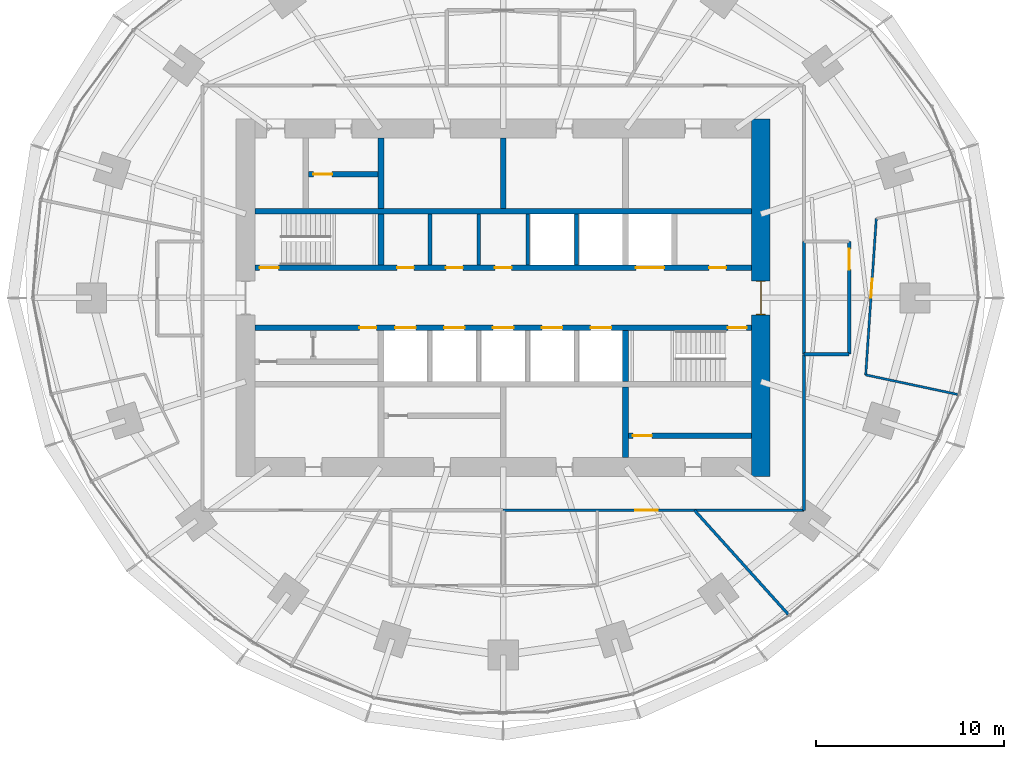
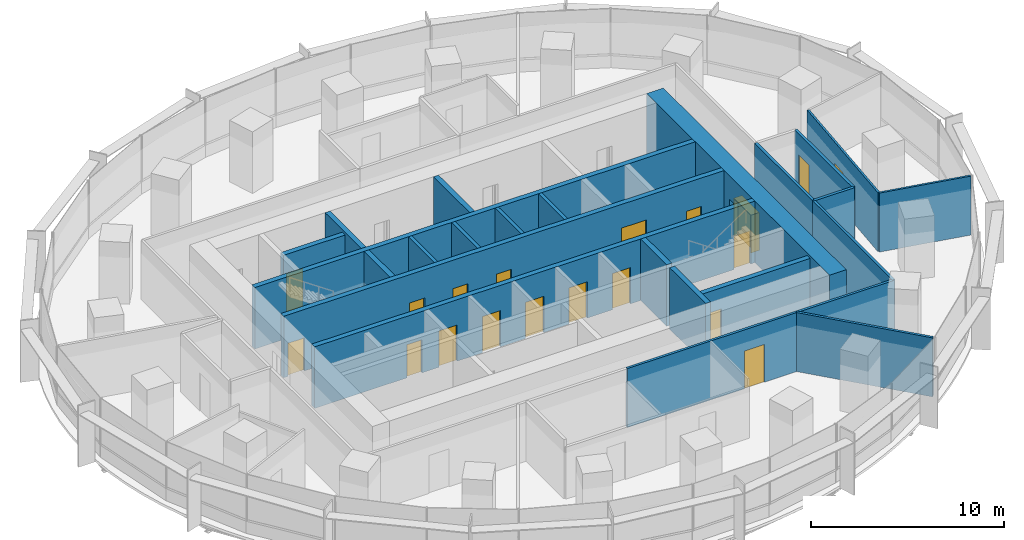
# One storey, part 11 of 14: 23 walls, 19 doors, 19 openings.
"""IFC4 building model written with IfcOpenShell, lengths in metres."""

from ifc_helpers import new_model, si_unit, direction, frame, frame_2d, origin, place, context, subcontext, project, spatial, rectangle, extrude, material, layer, layer_set, type_object, element, fill, save


model = new_model("IFC4")

# Units and contexts
model_context = context("Model", 3, precision=1e-05, world=origin(), true_north=direction((0.0, 1.0)))
body_context = subcontext(model_context, "Body", "Model", "MODEL_VIEW")
ifc_project = project(units=[si_unit("LENGTHUNIT", "METRE"), si_unit("AREAUNIT", "SQUARE_METRE"), si_unit("VOLUMEUNIT", "CUBIC_METRE"), si_unit("PLANEANGLEUNIT", "RADIAN"), si_unit("MASSUNIT", "GRAM", prefix="KILO")], contexts=[model_context])

# Site, building, storey
site_placement = place(None, origin())
site = spatial("IfcSite", under=ifc_project, at=site_placement, CompositionType="ELEMENT")
building_placement = place(site_placement, origin())
building = spatial("IfcBuilding", under=site, at=building_placement, Name="Marramba Exchange Tower", CompositionType="ELEMENT")
storey_placement = place(building_placement, frame((0.0, 0.0, 115.800048828125)))
storey = spatial("IfcBuildingStorey", under=building, at=storey_placement, Name="L27", CompositionType="ELEMENT", Elevation=115.800048828125)

# Walls
ifc_material_1 = material(Name="Plasterboard on staggered double steel studs, acoustic insulation", Category="steel")
ifc_layer_1 = layer(ifc_material_1, 0.169921875)
ifc_layer_set_1 = layer_set([ifc_layer_1], Name="Acoustic partition 170")
wall_type_1 = type_object("IfcWallType", Name="Acoustic partition 170", PredefinedType="PARTITIONING", material=ifc_layer_set_1)
wall_1_placement = place(storey_placement, frame((16.0, -3.0, 0.0), z_axis=(0.0, 0.0, 1.0), x_axis=(1.0, 0.0, 0.0)))
element("IfcWall", 1, at=wall_1_placement, inside=storey, type_object=wall_type_1, Name="Acoustic partition L27 18", PredefinedType="PARTITIONING", context=body_context, shape_type="SweptSolid", body=[
    extrude(rectangle(XDim=2.39990234375, YDim=0.169921875, at=frame_2d((1.199951171875, 0.0))), origin(), (0.0, 0.0, 1.0), 3.739990234375),
])
wall_2_placement = place(storey_placement, frame((16.0, 3.0, 0.0), z_axis=(0.0, 0.0, 1.0), x_axis=(0.0, -1.0, 0.0)))
element("IfcWall", 2, at=wall_2_placement, inside=storey, type_object=wall_type_1, Name="Acoustic partition L27 19", PredefinedType="PARTITIONING", context=body_context, shape_type="SweptSolid", body=[
    extrude(rectangle(XDim=6.0, YDim=0.169921875, at=frame_2d((3.0, 0.0))), origin(), (0.0, 0.0, 1.0), 3.739990234375),
])

# Wall, opening, door
wall_3_placement = place(storey_placement, frame((18.39990234375, -3.0, 0.0), z_axis=(0.0, 0.0, 1.0), x_axis=(0.0, 1.0, 0.0)))
wall_3 = element("IfcWall", 3, at=wall_3_placement, inside=storey, type_object=wall_type_1, Name="Acoustic partition L27 20", PredefinedType="PARTITIONING", context=body_context, shape_type="SweptSolid", body=[
    extrude(rectangle(XDim=6.0, YDim=0.169921875, at=frame_2d((3.0, 0.0))), origin(), (0.0, 0.0, 1.0), 3.739990234375),
])
opening_1_placement = place(wall_3_placement, frame((4.5, 0.0, 0.0)))
opening_1 = element("IfcOpeningElement", 4, at=opening_1_placement, cuts=wall_3, Name="Opening D15", PredefinedType="OPENING", context=body_context, shape_type="SweptSolid", body=[
    extrude(rectangle(XDim=1.10009765625, YDim=2.39990234375, at=frame_2d((0.550048828125, 1.199951171875))), frame((0.0, 0.094970703125, 0.0), z_axis=(0.0, -1.0, 0.0), x_axis=(1.0, 0.0, 0.0)), (0.0, 0.0, 1.0), 0.18994140625),
])
ifc_material_2 = material(Name="Timber door", Category="wood")
door_type_1 = type_object("IfcDoorType", Name="Glazed meeting room door 1100x2400", OperationType="SINGLE_SWING_LEFT", PredefinedType="DOOR", material=ifc_material_2)
door_1_placement = place(opening_1_placement, origin())
door_1 = element("IfcDoor", 5, at=door_1_placement, inside=storey, type_object=door_type_1, Name="D15 Meeting Room 1 L27", OperationType="SINGLE_SWING_RIGHT", OverallHeight=2.39990234375, OverallWidth=1.10009765625, PredefinedType="DOOR", context=body_context, shape_type="SweptSolid", body=[
    extrude(rectangle(XDim=1.10009765625, YDim=2.39990234375, at=frame_2d((0.550048828125, 1.199951171875))), frame((0.0, 0.02490234375, 0.0), z_axis=(0.0, -1.0, 0.0), x_axis=(1.0, 0.0, 0.0)), (0.0, 0.0, 1.0), 0.050048828125),
])
fill(opening_1, door_1)

# Walls
ifc_material_3 = material(Name="Concrete N50", Category="concrete")
ifc_layer_2 = layer(ifc_material_3, 0.199951171875)
ifc_layer_set_2 = layer_set([ifc_layer_2], Name="Core shaft wall 200")
wall_type_2 = type_object("IfcWallType", Name="Core shaft wall 200", PredefinedType="SHEAR", material=ifc_layer_set_2)
for number, where, z_axis, x_axis, name in (
    (6, (-3.89990234375, 1.75, 0.0), (0.0, 0.0, 1.0), (0.0, 1.0, 0.0), "Core wall SHN1 L27"),
    (7, (-1.300048828125, 1.75, 0.0), (0.0, 0.0, 1.0), (0.0, 1.0, 0.0), "Core wall SHN2 L27"),
    (8, (1.300048828125, 1.75, 0.0), (0.0, 0.0, 1.0), (0.0, 1.0, 0.0), "Core wall SHN3 L27"),
    (9, (3.89990234375, 1.75, 0.0), (0.0, 0.0, 1.0), (0.0, 1.0, 0.0), "Core wall SHN4 L27"),
):
    element("IfcWall", number, at=place(storey_placement, frame(where, z_axis=z_axis, x_axis=x_axis)), inside=storey, type_object=wall_type_2, Name=name, PredefinedType="SHEAR", context=body_context, shape_type="SweptSolid", body=[
        extrude(rectangle(XDim=2.699951171875, YDim=0.199951171875, at=frame_2d((1.35009765625, 0.0))), origin(), (0.0, 0.0, 1.0), 3.89990234375),
    ])

# Wall, opening, door
ifc_layer_3 = layer(ifc_material_3, 1.0)
ifc_layer_set_3 = layer_set([ifc_layer_3], Name="Core wall 1000")
wall_type_3 = type_object("IfcWallType", Name="Core wall 1000", PredefinedType="SHEAR", material=ifc_layer_set_3)
wall_4_placement = place(storey_placement, frame((13.699951171875, -9.5, 0.0), z_axis=(0.0, 0.0, 1.0), x_axis=(0.0, 1.0, 0.0)))
wall_4 = element("IfcWall", 10, at=wall_4_placement, inside=storey, type_object=wall_type_3, Name="Core wall E L27", PredefinedType="SHEAR", context=body_context, shape_type="SweptSolid", body=[
    extrude(rectangle(XDim=19.0, YDim=1.0, at=frame_2d((9.5, 0.0))), origin(), (0.0, 0.0, 1.0), 3.89990234375),
])
opening_2_placement = place(wall_4_placement, frame((8.60009765625, 0.0, 0.0)))
opening_2 = element("IfcOpeningElement", 11, at=opening_2_placement, cuts=wall_4, Name="Opening D1", PredefinedType="OPENING", context=body_context, shape_type="SweptSolid", body=[
    extrude(rectangle(XDim=1.800048828125, YDim=2.39990234375, at=frame_2d((0.89990234375, 1.199951171875))), frame((0.0, 0.510009765625, 0.0), z_axis=(0.0, -1.0, 0.0), x_axis=(1.0, 0.0, 0.0)), (0.0, 0.0, 1.0), 1.02001953125),
])
ifc_material_4 = material(Name="Steel-framed door", Category="steel")
door_type_2 = type_object("IfcDoorType", Name="Lobby exit door 1800x2400", OperationType="DOUBLE_DOOR_SINGLE_SWING", PredefinedType="DOOR", material=ifc_material_4)
door_2_placement = place(opening_2_placement, origin())
door_2 = element("IfcDoor", 12, at=door_2_placement, inside=storey, type_object=door_type_2, Name="D1 lobby exit east L27", OperationType="DOUBLE_DOOR_SINGLE_SWING", OverallHeight=2.39990234375, OverallWidth=1.800048828125, PredefinedType="DOOR", context=body_context, shape_type="SweptSolid", body=[
    extrude(rectangle(XDim=1.719970703125, YDim=2.35986328125, at=frame_2d((0.89990234375, 1.179931640625))), frame((0.0, 0.02490234375, 0.0), z_axis=(0.0, -1.0, 0.0), x_axis=(1.0, 0.0, 0.0)), (0.0, 0.0, 1.0), 0.050048828125),
    extrude(rectangle(XDim=0.04, YDim=2.39990234375, at=frame_2d((0.02001953125, 1.199951171875))), frame((0.0, 0.25, 0.0), z_axis=(0.0, -1.0, 0.0), x_axis=(1.0, 0.0, 0.0)), (0.0, 0.0, 1.0), 0.5),
    extrude(rectangle(XDim=0.04, YDim=2.39990234375, at=frame_2d((1.780029296875, 1.199951171875))), frame((0.0, 0.25, 0.0), z_axis=(0.0, -1.0, 0.0), x_axis=(1.0, 0.0, 0.0)), (0.0, 0.0, 1.0), 0.5),
    extrude(rectangle(XDim=1.719970703125, YDim=0.04, at=frame_2d((0.89990234375, 2.3798828125))), frame((0.0, 0.25, 0.0), z_axis=(0.0, -1.0, 0.0), x_axis=(1.0, 0.0, 0.0)), (0.0, 0.0, 1.0), 0.5),
])
fill(opening_2, door_2)

# Wall, openings, doors
ifc_layer_4 = layer(ifc_material_3, 0.300048828125)
ifc_layer_set_4 = layer_set([ifc_layer_4], Name="Core wall 300")
wall_type_4 = type_object("IfcWallType", Name="Core wall 300", PredefinedType="SHEAR", material=ifc_layer_set_4)
wall_5_placement = place(storey_placement, frame((-13.199951171875, 1.60009765625, 0.0), z_axis=(0.0, 0.0, 1.0), x_axis=(1.0, 0.0, 0.0)))
wall_5 = element("IfcWall", 13, at=wall_5_placement, inside=storey, type_object=wall_type_4, Name="Core wall LN L27", PredefinedType="SHEAR", context=body_context, shape_type="SweptSolid", body=[
    extrude(rectangle(XDim=26.39990234375, YDim=0.300048828125, at=frame_2d((13.199951171875, 0.0))), origin(), (0.0, 0.0, 1.0), 3.89990234375),
])
opening_3_placement = place(wall_5_placement, frame((0.25, 0.0, 0.0)))
opening_3 = element("IfcOpeningElement", 14, at=opening_3_placement, cuts=wall_5, Name="Opening D2", PredefinedType="OPENING", context=body_context, shape_type="SweptSolid", body=[
    extrude(rectangle(XDim=1.0, YDim=2.10009765625, at=frame_2d((0.5, 1.050048828125))), frame((0.0, 0.159912109375, 0.0), z_axis=(0.0, -1.0, 0.0), x_axis=(1.0, 0.0, 0.0)), (0.0, 0.0, 1.0), 0.320068359375),
])
opening_4_placement = place(wall_5_placement, frame((20.25, 0.0, 0.0)))
opening_4 = element("IfcOpeningElement", 15, at=opening_4_placement, cuts=wall_5, Name="Opening LD3", PredefinedType="OPENING", context=body_context, shape_type="SweptSolid", body=[
    extrude(rectangle(XDim=1.5, YDim=2.39990234375, at=frame_2d((0.75, 1.199951171875))), frame((0.0, 0.159912109375, 0.0), z_axis=(0.0, -1.0, 0.0), x_axis=(1.0, 0.0, 0.0)), (0.0, 0.0, 1.0), 0.320068359375),
])
opening_5_placement = place(wall_5_placement, frame((7.550048828125, 0.0, 0.0)))
opening_5 = element("IfcOpeningElement", 16, at=opening_5_placement, cuts=wall_5, Name="Opening D5", PredefinedType="OPENING", context=body_context, shape_type="SweptSolid", body=[
    extrude(rectangle(XDim=0.89990234375, YDim=2.10009765625, at=frame_2d((0.449951171875, 1.050048828125))), frame((0.0, 0.159912109375, 0.0), z_axis=(0.0, -1.0, 0.0), x_axis=(1.0, 0.0, 0.0)), (0.0, 0.0, 1.0), 0.320068359375),
])
opening_6_placement = place(wall_5_placement, frame((10.14990234375, 0.0, 0.0)))
opening_6 = element("IfcOpeningElement", 17, at=opening_6_placement, cuts=wall_5, Name="Opening D5", PredefinedType="OPENING", context=body_context, shape_type="SweptSolid", body=[
    extrude(rectangle(XDim=0.89990234375, YDim=2.10009765625, at=frame_2d((0.449951171875, 1.050048828125))), frame((0.0, 0.159912109375, 0.0), z_axis=(0.0, -1.0, 0.0), x_axis=(1.0, 0.0, 0.0)), (0.0, 0.0, 1.0), 0.320068359375),
])
opening_7_placement = place(wall_5_placement, frame((12.75, 0.0, 0.0)))
opening_7 = element("IfcOpeningElement", 18, at=opening_7_placement, cuts=wall_5, Name="Opening D5", PredefinedType="OPENING", context=body_context, shape_type="SweptSolid", body=[
    extrude(rectangle(XDim=0.89990234375, YDim=2.10009765625, at=frame_2d((0.449951171875, 1.050048828125))), frame((0.0, 0.159912109375, 0.0), z_axis=(0.0, -1.0, 0.0), x_axis=(1.0, 0.0, 0.0)), (0.0, 0.0, 1.0), 0.320068359375),
])
opening_8_placement = place(wall_5_placement, frame((24.14990234375, 0.0, 0.0)))
opening_8 = element("IfcOpeningElement", 19, at=opening_8_placement, cuts=wall_5, Name="Opening D5", PredefinedType="OPENING", context=body_context, shape_type="SweptSolid", body=[
    extrude(rectangle(XDim=0.89990234375, YDim=2.10009765625, at=frame_2d((0.449951171875, 1.050048828125))), frame((0.0, 0.159912109375, 0.0), z_axis=(0.0, -1.0, 0.0), x_axis=(1.0, 0.0, 0.0)), (0.0, 0.0, 1.0), 0.320068359375),
])
door_type_3 = type_object("IfcDoorType", Name="Goods lift landing door 1500x2400", OperationType="SLIDING_TO_LEFT", PredefinedType="DOOR", material=ifc_material_4)
door_3_placement = place(opening_4_placement, origin())
door_3 = element("IfcDoor", 20, at=door_3_placement, inside=storey, type_object=door_type_3, Name="GL1 landing door L27", OperationType="SLIDING_TO_LEFT", OverallHeight=2.39990234375, OverallWidth=1.5, PredefinedType="DOOR", context=body_context, shape_type="SweptSolid", body=[
    extrude(rectangle(XDim=1.5, YDim=2.39990234375, at=frame_2d((0.75, 1.199951171875))), frame((0.0, 0.02490234375, 0.0), z_axis=(0.0, -1.0, 0.0), x_axis=(1.0, 0.0, 0.0)), (0.0, 0.0, 1.0), 0.050048828125),
])
fill(opening_4, door_3)
door_type_4 = type_object("IfcDoorType", Name="Service door 900x2100", OperationType="SINGLE_SWING_LEFT", PredefinedType="DOOR", material=ifc_material_4)
door_4_placement = place(opening_5_placement, origin())
door_4 = element("IfcDoor", 21, at=door_4_placement, inside=storey, type_object=door_type_4, Name="D5 vending room L27", OperationType="SINGLE_SWING_RIGHT", OverallHeight=2.10009765625, OverallWidth=0.89990234375, PredefinedType="DOOR", context=body_context, shape_type="SweptSolid", body=[
    extrude(rectangle(XDim=0.89990234375, YDim=2.10009765625, at=frame_2d((0.449951171875, 1.050048828125))), frame((0.0, 0.02490234375, 0.0), z_axis=(0.0, -1.0, 0.0), x_axis=(1.0, 0.0, 0.0)), (0.0, 0.0, 1.0), 0.050048828125),
])
fill(opening_5, door_4)
door_5_placement = place(opening_6_placement, origin())
door_5 = element("IfcDoor", 22, at=door_5_placement, inside=storey, type_object=door_type_4, Name="D5 stationery store L27", OperationType="SINGLE_SWING_RIGHT", OverallHeight=2.10009765625, OverallWidth=0.89990234375, PredefinedType="DOOR", context=body_context, shape_type="SweptSolid", body=[
    extrude(rectangle(XDim=0.89990234375, YDim=2.10009765625, at=frame_2d((0.449951171875, 1.050048828125))), frame((0.0, 0.02490234375, 0.0), z_axis=(0.0, -1.0, 0.0), x_axis=(1.0, 0.0, 0.0)), (0.0, 0.0, 1.0), 0.050048828125),
])
fill(opening_6, door_5)
door_6_placement = place(opening_7_placement, origin())
door_6 = element("IfcDoor", 23, at=door_6_placement, inside=storey, type_object=door_type_4, Name="D5 switch room L27", OperationType="SINGLE_SWING_RIGHT", OverallHeight=2.10009765625, OverallWidth=0.89990234375, PredefinedType="DOOR", context=body_context, shape_type="SweptSolid", body=[
    extrude(rectangle(XDim=0.89990234375, YDim=2.10009765625, at=frame_2d((0.449951171875, 1.050048828125))), frame((0.0, 0.02490234375, 0.0), z_axis=(0.0, -1.0, 0.0), x_axis=(1.0, 0.0, 0.0)), (0.0, 0.0, 1.0), 0.050048828125),
])
fill(opening_7, door_6)
door_7_placement = place(opening_8_placement, origin())
door_7 = element("IfcDoor", 24, at=door_7_placement, inside=storey, type_object=door_type_4, Name="D5 riser L27", OperationType="SINGLE_SWING_RIGHT", OverallHeight=2.10009765625, OverallWidth=0.89990234375, PredefinedType="DOOR", context=body_context, shape_type="SweptSolid", body=[
    extrude(rectangle(XDim=0.89990234375, YDim=2.10009765625, at=frame_2d((0.449951171875, 1.050048828125))), frame((0.0, 0.02490234375, 0.0), z_axis=(0.0, -1.0, 0.0), x_axis=(1.0, 0.0, 0.0)), (0.0, 0.0, 1.0), 0.050048828125),
])
fill(opening_8, door_7)
door_type_5 = type_object("IfcDoorType", Name="Stair door 1000x2100", OperationType="SINGLE_SWING_LEFT", PredefinedType="DOOR", material=ifc_material_4)
door_8_placement = place(opening_3_placement, origin())
door_8 = element("IfcDoor", 25, at=door_8_placement, inside=storey, type_object=door_type_5, Name="D2 stair ST1 L27", OperationType="SINGLE_SWING_LEFT", OverallHeight=2.10009765625, OverallWidth=1.0, PredefinedType="DOOR", context=body_context, shape_type="SweptSolid", body=[
    extrude(rectangle(XDim=1.0, YDim=2.10009765625, at=frame_2d((0.5, 1.050048828125))), frame((0.0, 0.02490234375, 0.0), z_axis=(0.0, -1.0, 0.0), x_axis=(1.0, 0.0, 0.0)), (0.0, 0.0, 1.0), 0.050048828125),
])
fill(opening_3, door_8)

wall_6_placement = place(storey_placement, frame((-13.199951171875, -1.60009765625, 0.0), z_axis=(0.0, 0.0, 1.0), x_axis=(1.0, 0.0, 0.0)))
wall_6 = element("IfcWall", 26, at=wall_6_placement, inside=storey, type_object=wall_type_4, Name="Core wall LS L27", PredefinedType="SHEAR", context=body_context, shape_type="SweptSolid", body=[
    extrude(rectangle(XDim=26.39990234375, YDim=0.300048828125, at=frame_2d((13.199951171875, 0.0))), origin(), (0.0, 0.0, 1.0), 3.89990234375),
])
opening_9_placement = place(wall_6_placement, frame((25.14990234375, 0.0, 0.0)))
opening_9 = element("IfcOpeningElement", 27, at=opening_9_placement, cuts=wall_6, Name="Opening D2", PredefinedType="OPENING", context=body_context, shape_type="SweptSolid", body=[
    extrude(rectangle(XDim=1.0, YDim=2.10009765625, at=frame_2d((0.5, 1.050048828125))), frame((0.0, 0.159912109375, 0.0), z_axis=(0.0, -1.0, 0.0), x_axis=(1.0, 0.0, 0.0)), (0.0, 0.0, 1.0), 0.320068359375),
])
opening_10_placement = place(wall_6_placement, frame((7.449951171875, 0.0, 0.0)))
opening_10 = element("IfcOpeningElement", 28, at=opening_10_placement, cuts=wall_6, Name="Opening LD1", PredefinedType="OPENING", context=body_context, shape_type="SweptSolid", body=[
    extrude(rectangle(XDim=1.10009765625, YDim=2.300048828125, at=frame_2d((0.550048828125, 1.14990234375))), frame((0.0, 0.159912109375, 0.0), z_axis=(0.0, -1.0, 0.0), x_axis=(1.0, 0.0, 0.0)), (0.0, 0.0, 1.0), 0.320068359375),
])
opening_11_placement = place(wall_6_placement, frame((10.050048828125, 0.0, 0.0)))
opening_11 = element("IfcOpeningElement", 29, at=opening_11_placement, cuts=wall_6, Name="Opening LD1", PredefinedType="OPENING", context=body_context, shape_type="SweptSolid", body=[
    extrude(rectangle(XDim=1.10009765625, YDim=2.300048828125, at=frame_2d((0.550048828125, 1.14990234375))), frame((0.0, 0.159912109375, 0.0), z_axis=(0.0, -1.0, 0.0), x_axis=(1.0, 0.0, 0.0)), (0.0, 0.0, 1.0), 0.320068359375),
])
opening_12_placement = place(wall_6_placement, frame((12.64990234375, 0.0, 0.0)))
opening_12 = element("IfcOpeningElement", 30, at=opening_12_placement, cuts=wall_6, Name="Opening LD1", PredefinedType="OPENING", context=body_context, shape_type="SweptSolid", body=[
    extrude(rectangle(XDim=1.10009765625, YDim=2.300048828125, at=frame_2d((0.550048828125, 1.14990234375))), frame((0.0, 0.159912109375, 0.0), z_axis=(0.0, -1.0, 0.0), x_axis=(1.0, 0.0, 0.0)), (0.0, 0.0, 1.0), 0.320068359375),
])
opening_13_placement = place(wall_6_placement, frame((15.25, 0.0, 0.0)))
opening_13 = element("IfcOpeningElement", 31, at=opening_13_placement, cuts=wall_6, Name="Opening LD2", PredefinedType="OPENING", context=body_context, shape_type="SweptSolid", body=[
    extrude(rectangle(XDim=1.10009765625, YDim=2.300048828125, at=frame_2d((0.550048828125, 1.14990234375))), frame((0.0, 0.159912109375, 0.0), z_axis=(0.0, -1.0, 0.0), x_axis=(1.0, 0.0, 0.0)), (0.0, 0.0, 1.0), 0.320068359375),
])
opening_14_placement = place(wall_6_placement, frame((17.85009765625, 0.0, 0.0)))
opening_14 = element("IfcOpeningElement", 32, at=opening_14_placement, cuts=wall_6, Name="Opening LD2", PredefinedType="OPENING", context=body_context, shape_type="SweptSolid", body=[
    extrude(rectangle(XDim=1.10009765625, YDim=2.300048828125, at=frame_2d((0.550048828125, 1.14990234375))), frame((0.0, 0.159912109375, 0.0), z_axis=(0.0, -1.0, 0.0), x_axis=(1.0, 0.0, 0.0)), (0.0, 0.0, 1.0), 0.320068359375),
])
opening_15_placement = place(wall_6_placement, frame((5.550048828125, 0.0, 0.0)))
opening_15 = element("IfcOpeningElement", 33, at=opening_15_placement, cuts=wall_6, Name="Opening D5", PredefinedType="OPENING", context=body_context, shape_type="SweptSolid", body=[
    extrude(rectangle(XDim=0.89990234375, YDim=2.10009765625, at=frame_2d((0.449951171875, 1.050048828125))), frame((0.0, 0.159912109375, 0.0), z_axis=(0.0, -1.0, 0.0), x_axis=(1.0, 0.0, 0.0)), (0.0, 0.0, 1.0), 0.320068359375),
])
door_type_6 = type_object("IfcDoorType", Name="Emergency lift landing door 1100x2300", OperationType="SLIDING_TO_LEFT", PredefinedType="DOOR", material=ifc_material_4)
door_9_placement = place(opening_13_placement, frame((1.10009765625, 0.0, 0.0), z_axis=(0.0, 0.0, 1.0), x_axis=(-1.0, 0.0, 0.0)))
door_9 = element("IfcDoor", 34, at=door_9_placement, inside=storey, type_object=door_type_6, Name="FL1 landing door L27", OperationType="SLIDING_TO_RIGHT", OverallHeight=2.300048828125, OverallWidth=1.10009765625, PredefinedType="DOOR", context=body_context, shape_type="SweptSolid", body=[
    extrude(rectangle(XDim=1.10009765625, YDim=2.300048828125, at=frame_2d((0.550048828125, 1.14990234375))), frame((0.0, 0.025146484375, 0.0), z_axis=(0.0, -1.0, 0.0), x_axis=(1.0, 0.0, 0.0)), (0.0, 0.0, 1.0), 0.050048828125),
])
fill(opening_13, door_9)
door_10_placement = place(opening_14_placement, frame((1.10009765625, 0.0, 0.0), z_axis=(0.0, 0.0, 1.0), x_axis=(-1.0, 0.0, 0.0)))
door_10 = element("IfcDoor", 35, at=door_10_placement, inside=storey, type_object=door_type_6, Name="FL2 landing door L27", OperationType="SLIDING_TO_LEFT", OverallHeight=2.300048828125, OverallWidth=1.10009765625, PredefinedType="DOOR", context=body_context, shape_type="SweptSolid", body=[
    extrude(rectangle(XDim=1.10009765625, YDim=2.300048828125, at=frame_2d((0.550048828125, 1.14990234375))), frame((0.0, 0.025146484375, 0.0), z_axis=(0.0, -1.0, 0.0), x_axis=(1.0, 0.0, 0.0)), (0.0, 0.0, 1.0), 0.050048828125),
])
fill(opening_14, door_10)
door_type_7 = type_object("IfcDoorType", Name="Lift landing door 1100x2300", OperationType="SLIDING_TO_LEFT", PredefinedType="DOOR", material=ifc_material_4)
door_11_placement = place(opening_10_placement, frame((1.10009765625, 0.0, 0.0), z_axis=(0.0, 0.0, 1.0), x_axis=(-1.0, 0.0, 0.0)))
door_11 = element("IfcDoor", 36, at=door_11_placement, inside=storey, type_object=door_type_7, Name="LB1 landing door L27", OperationType="SLIDING_TO_LEFT", OverallHeight=2.300048828125, OverallWidth=1.10009765625, PredefinedType="DOOR", context=body_context, shape_type="SweptSolid", body=[
    extrude(rectangle(XDim=1.10009765625, YDim=2.300048828125, at=frame_2d((0.550048828125, 1.14990234375))), frame((0.0, 0.025146484375, 0.0), z_axis=(0.0, -1.0, 0.0), x_axis=(1.0, 0.0, 0.0)), (0.0, 0.0, 1.0), 0.050048828125),
])
fill(opening_10, door_11)
door_12_placement = place(opening_11_placement, frame((1.10009765625, 0.0, 0.0), z_axis=(0.0, 0.0, 1.0), x_axis=(-1.0, 0.0, 0.0)))
door_12 = element("IfcDoor", 37, at=door_12_placement, inside=storey, type_object=door_type_7, Name="LB2 landing door L27", OperationType="SLIDING_TO_RIGHT", OverallHeight=2.300048828125, OverallWidth=1.10009765625, PredefinedType="DOOR", context=body_context, shape_type="SweptSolid", body=[
    extrude(rectangle(XDim=1.10009765625, YDim=2.300048828125, at=frame_2d((0.550048828125, 1.14990234375))), frame((0.0, 0.025146484375, 0.0), z_axis=(0.0, -1.0, 0.0), x_axis=(1.0, 0.0, 0.0)), (0.0, 0.0, 1.0), 0.050048828125),
])
fill(opening_11, door_12)
door_13_placement = place(opening_12_placement, frame((1.10009765625, 0.0, 0.0), z_axis=(0.0, 0.0, 1.0), x_axis=(-1.0, 0.0, 0.0)))
door_13 = element("IfcDoor", 38, at=door_13_placement, inside=storey, type_object=door_type_7, Name="LB3 landing door L27", OperationType="SLIDING_TO_RIGHT", OverallHeight=2.300048828125, OverallWidth=1.10009765625, PredefinedType="DOOR", context=body_context, shape_type="SweptSolid", body=[
    extrude(rectangle(XDim=1.10009765625, YDim=2.300048828125, at=frame_2d((0.550048828125, 1.14990234375))), frame((0.0, 0.025146484375, 0.0), z_axis=(0.0, -1.0, 0.0), x_axis=(1.0, 0.0, 0.0)), (0.0, 0.0, 1.0), 0.050048828125),
])
fill(opening_12, door_13)
door_14_placement = place(opening_15_placement, frame((0.89990234375, 0.0, 0.0), z_axis=(0.0, 0.0, 1.0), x_axis=(-1.0, 0.0, 0.0)))
door_14 = element("IfcDoor", 39, at=door_14_placement, inside=storey, type_object=door_type_4, Name="D5 electrical riser L27", OperationType="SINGLE_SWING_LEFT", OverallHeight=2.10009765625, OverallWidth=0.89990234375, PredefinedType="DOOR", context=body_context, shape_type="SweptSolid", body=[
    extrude(rectangle(XDim=0.89990234375, YDim=2.10009765625, at=frame_2d((0.449951171875, 1.050048828125))), frame((0.0, 0.025146484375, 0.0), z_axis=(0.0, -1.0, 0.0), x_axis=(1.0, 0.0, 0.0)), (0.0, 0.0, 1.0), 0.050048828125),
])
fill(opening_15, door_14)
door_15_placement = place(opening_9_placement, frame((1.0, 0.0, 0.0), z_axis=(0.0, 0.0, 1.0), x_axis=(-1.0, 0.0, 0.0)))
door_15 = element("IfcDoor", 40, at=door_15_placement, inside=storey, type_object=door_type_5, Name="D2 stair ST2 L27", OperationType="SINGLE_SWING_LEFT", OverallHeight=2.10009765625, OverallWidth=1.0, PredefinedType="DOOR", context=body_context, shape_type="SweptSolid", body=[
    extrude(rectangle(XDim=1.0, YDim=2.10009765625, at=frame_2d((0.5, 1.050048828125))), frame((0.0, 0.025146484375, 0.0), z_axis=(0.0, -1.0, 0.0), x_axis=(1.0, 0.0, 0.0)), (0.0, 0.0, 1.0), 0.050048828125),
])
fill(opening_9, door_15)

# Walls
wall_7_placement = place(storey_placement, frame((-13.199951171875, 4.60009765625, 0.0), z_axis=(0.0, 0.0, 1.0), x_axis=(1.0, 0.0, 0.0)))
element("IfcWall", 41, at=wall_7_placement, inside=storey, type_object=wall_type_4, Name="Core wall BN L27", PredefinedType="SHEAR", context=body_context, shape_type="SweptSolid", body=[
    extrude(rectangle(XDim=26.39990234375, YDim=0.300048828125, at=frame_2d((13.199951171875, 0.0))), origin(), (0.0, 0.0, 1.0), 3.89990234375),
])
wall_8_placement = place(storey_placement, frame((-6.5, 1.75, 0.0), z_axis=(0.0, 0.0, 1.0), x_axis=(0.0, 1.0, 0.0)))
element("IfcWall", 42, at=wall_8_placement, inside=storey, type_object=wall_type_4, Name="Core wall X0Na L27", PredefinedType="SHEAR", context=body_context, shape_type="SweptSolid", body=[
    extrude(rectangle(XDim=2.699951171875, YDim=0.300048828125, at=frame_2d((1.35009765625, 0.0))), origin(), (0.0, 0.0, 1.0), 3.89990234375),
])
for number, where, z_axis, x_axis, name in (
    (43, (-6.5, 4.75, 0.0), (0.0, 0.0, 1.0), (0.0, 1.0, 0.0), "Core wall X0Nb L27"),
    (44, (0.0, 4.75, 0.0), (0.0, 0.0, 1.0), (0.0, 1.0, 0.0), "Core wall MN L27"),
):
    element("IfcWall", number, at=place(storey_placement, frame(where, z_axis=z_axis, x_axis=x_axis)), inside=storey, type_object=wall_type_4, Name=name, PredefinedType="SHEAR", context=body_context, shape_type="SweptSolid", body=[
        extrude(rectangle(XDim=3.75, YDim=0.300048828125, at=frame_2d((1.875, 0.0))), origin(), (0.0, 0.0, 1.0), 3.89990234375),
    ])
wall_9_placement = place(storey_placement, frame((6.5, -1.75, 0.0), z_axis=(0.0, 0.0, 1.0), x_axis=(0.0, -1.0, 0.0)))
element("IfcWall", 45, at=wall_9_placement, inside=storey, type_object=wall_type_4, Name="Core wall X1Sa L27", PredefinedType="SHEAR", context=body_context, shape_type="SweptSolid", body=[
    extrude(rectangle(XDim=2.699951171875, YDim=0.300048828125, at=frame_2d((1.35009765625, 0.0))), origin(), (0.0, 0.0, 1.0), 3.89990234375),
])
wall_10_placement = place(storey_placement, frame((6.5, -4.75, 0.0), z_axis=(0.0, 0.0, 1.0), x_axis=(0.0, -1.0, 0.0)))
element("IfcWall", 46, at=wall_10_placement, inside=storey, type_object=wall_type_4, Name="Core wall X1Sb L27", PredefinedType="SHEAR", context=body_context, shape_type="SweptSolid", body=[
    extrude(rectangle(XDim=3.75, YDim=0.300048828125, at=frame_2d((1.875, 0.0))), origin(), (0.0, 0.0, 1.0), 3.89990234375),
])
ifc_material_5 = material(Name="Plasterboard on steel studs", Category="steel")
ifc_layer_5 = layer(ifc_material_5, 0.1201171875)
ifc_layer_set_5 = layer_set([ifc_layer_5], Name="Partition 120")
wall_type_5 = type_object("IfcWallType", Name="Partition 120", PredefinedType="PARTITIONING", material=ifc_layer_set_5)
wall_11_placement = place(storey_placement, frame((19.277099609375, -4.097412109375, 0.0), z_axis=(0.0, 0.0, 1.0), x_axis=(0.978149046495, -0.207904888932, 0.0)))
element("IfcWall", 47, at=wall_11_placement, inside=storey, type_object=wall_type_5, Name="Partition L27 17", PredefinedType="PARTITIONING", context=body_context, shape_type="SweptSolid", body=[
    extrude(rectangle(XDim=5.000244140625, YDim=0.1201171875, at=frame_2d((2.5, 0.0))), origin(), (0.0, 0.0, 1.0), 3.739990234375),
])

# Wall, opening, door
wall_12_placement = place(storey_placement, frame((19.839599609375, 4.217041015625, 0.0), z_axis=(0.0, 0.0, 1.0), x_axis=(-0.067498983032, -0.997719342947, 0.0)))
wall_12 = element("IfcWall", 48, at=wall_12_placement, inside=storey, type_object=wall_type_5, Name="Partition L27 21", PredefinedType="PARTITIONING", context=body_context, shape_type="SweptSolid", body=[
    extrude(rectangle(XDim=8.33349609375, YDim=0.1201171875, at=frame_2d((4.166748046875, 0.0))), origin(), (0.0, 0.0, 1.0), 3.739990234375),
])
opening_16_placement = place(wall_12_placement, frame((3.214111328125, 0.0, 0.0)))
opening_16 = element("IfcOpeningElement", 49, at=opening_16_placement, cuts=wall_12, Name="Opening D9", PredefinedType="OPENING", context=body_context, shape_type="SweptSolid", body=[
    extrude(rectangle(XDim=1.0, YDim=2.39990234375, at=frame_2d((0.5, 1.199951171875))), frame((0.0, 0.070068359375, 0.0), z_axis=(0.0, -1.0, 0.0), x_axis=(1.0, 0.0, 0.0)), (0.0, 0.0, 1.0), 0.14013671875),
])
door_type_8 = type_object("IfcDoorType", Name="Room door 1000x2400", OperationType="SINGLE_SWING_LEFT", PredefinedType="DOOR", material=ifc_material_2)
door_16_placement = place(opening_16_placement, origin())
door_16 = element("IfcDoor", 50, at=door_16_placement, inside=storey, type_object=door_type_8, Name="D9 Office 1 L27", OperationType="SINGLE_SWING_LEFT", OverallHeight=2.39990234375, OverallWidth=1.0, PredefinedType="DOOR", context=body_context, shape_type="SweptSolid", body=[
    extrude(rectangle(XDim=1.0, YDim=2.39990234375, at=frame_2d((0.5, 1.199951171875))), frame((0.0, 0.02490234375, 0.0), z_axis=(0.0, -1.0, 0.0), x_axis=(1.0, 0.0, 0.0)), (0.0, 0.0, 1.0), 0.050048828125),
])
fill(opening_16, door_16)

ifc_material_6 = material(Name="Plasterboard on steel studs, insulated, unrated", Category="steel")
ifc_layer_6 = layer(ifc_material_6, 0.300048828125)
ifc_layer_set_6 = layer_set([ifc_layer_6], Name="Store partition 300")
wall_type_6 = type_object("IfcWallType", Name="Store partition 300", PredefinedType="PARTITIONING", material=ifc_layer_set_6)
wall_13_placement = place(storey_placement, frame((-10.35009765625, 6.580078125, 0.0), z_axis=(0.0, 0.0, 1.0), x_axis=(1.0, 0.0, 0.0)))
wall_13 = element("IfcWall", 51, at=wall_13_placement, inside=storey, type_object=wall_type_6, Name="Store partition L27 cleaner", PredefinedType="PARTITIONING", context=body_context, shape_type="SweptSolid", body=[
    extrude(rectangle(XDim=3.7001953125, YDim=0.300048828125, at=frame_2d((1.85009765625, 0.0))), origin(), (0.0, 0.0, 1.0), 3.739990234375),
])
opening_17_placement = place(wall_13_placement, frame((0.25, 0.0, 0.0)))
opening_17 = element("IfcOpeningElement", 52, at=opening_17_placement, cuts=wall_13, Name="Opening D9", PredefinedType="OPENING", context=body_context, shape_type="SweptSolid", body=[
    extrude(rectangle(XDim=1.0, YDim=2.39990234375, at=frame_2d((0.5, 1.199951171875))), frame((0.0, 0.159912109375, 0.0), z_axis=(0.0, -1.0, 0.0), x_axis=(1.0, 0.0, 0.0)), (0.0, 0.0, 1.0), 0.320068359375),
])
door_17_placement = place(opening_17_placement, frame((1.0, 0.0, 0.0), z_axis=(0.0, 0.0, 1.0), x_axis=(-1.0, 0.0, 0.0)))
door_17 = element("IfcDoor", 53, at=door_17_placement, inside=storey, type_object=door_type_8, Name="D9 cleaning store L27", OperationType="SINGLE_SWING_RIGHT", OverallHeight=2.39990234375, OverallWidth=1.0, PredefinedType="DOOR", context=body_context, shape_type="SweptSolid", body=[
    extrude(rectangle(XDim=1.0, YDim=2.39990234375, at=frame_2d((0.5, 1.199951171875))), frame((0.0, 0.025146484375, 0.0), z_axis=(0.0, -1.0, 0.0), x_axis=(1.0, 0.0, 0.0)), (0.0, 0.0, 1.0), 0.050048828125),
])
fill(opening_17, door_17)

wall_14_placement = place(storey_placement, frame((6.64990234375, -7.327880859375, 0.0), z_axis=(0.0, 0.0, 1.0), x_axis=(1.0, 0.0, 0.0)))
wall_14 = element("IfcWall", 54, at=wall_14_placement, inside=storey, type_object=wall_type_6, Name="Store partition L27 cstore", PredefinedType="PARTITIONING", context=body_context, shape_type="SweptSolid", body=[
    extrude(rectangle(XDim=6.550048828125, YDim=0.300048828125, at=frame_2d((3.27490234375, 0.0))), origin(), (0.0, 0.0, 1.0), 3.739990234375),
])
opening_18_placement = place(wall_14_placement, frame((0.25, 0.0, 0.0)))
opening_18 = element("IfcOpeningElement", 55, at=opening_18_placement, cuts=wall_14, Name="Opening D9", PredefinedType="OPENING", context=body_context, shape_type="SweptSolid", body=[
    extrude(rectangle(XDim=1.0, YDim=2.39990234375, at=frame_2d((0.5, 1.199951171875))), frame((0.0, 0.159912109375, 0.0), z_axis=(0.0, -1.0, 0.0), x_axis=(1.0, 0.0, 0.0)), (0.0, 0.0, 1.0), 0.320068359375),
])
door_18_placement = place(opening_18_placement, frame((1.0, 0.0, 0.0), z_axis=(0.0, 0.0, 1.0), x_axis=(-1.0, 0.0, 0.0)))
door_18 = element("IfcDoor", 56, at=door_18_placement, inside=storey, type_object=door_type_8, Name="D9 general store L27", OperationType="SINGLE_SWING_RIGHT", OverallHeight=2.39990234375, OverallWidth=1.0, PredefinedType="DOOR", context=body_context, shape_type="SweptSolid", body=[
    extrude(rectangle(XDim=1.0, YDim=2.39990234375, at=frame_2d((0.5, 1.199951171875))), frame((0.0, 0.025146484375, 0.0), z_axis=(0.0, -1.0, 0.0), x_axis=(1.0, 0.0, 0.0)), (0.0, 0.0, 1.0), 0.050048828125),
])
fill(opening_18, door_18)

ifc_material_7 = material(Name="Fire-rated plasterboard on steel studs, acoustic insulation", Category="steel")
ifc_layer_7 = layer(ifc_material_7, 0.14990234375)
ifc_layer_set_7 = layer_set([ifc_layer_7], Name="Tenancy wall 150")
wall_type_7 = type_object("IfcWallType", Name="Tenancy wall 150", PredefinedType="PARTITIONING", material=ifc_layer_set_7)
wall_15_placement = place(storey_placement, frame((0.0, -11.300048828125, 0.0), z_axis=(0.0, 0.0, 1.0), x_axis=(1.0, 0.0, 0.0)))
wall_15 = element("IfcWall", 57, at=wall_15_placement, inside=storey, type_object=wall_type_7, Name="Tenancy wall L27 14", PredefinedType="PARTITIONING", context=body_context, shape_type="SweptSolid", body=[
    extrude(rectangle(XDim=16.0, YDim=0.14990234375, at=frame_2d((8.0, 0.0))), origin(), (0.0, 0.0, 1.0), 3.739990234375),
])
opening_19_placement = place(wall_15_placement, frame((7.011962890625, 0.0, 0.0)))
opening_19 = element("IfcOpeningElement", 58, at=opening_19_placement, cuts=wall_15, Name="Opening D13", PredefinedType="OPENING", context=body_context, shape_type="SweptSolid", body=[
    extrude(rectangle(XDim=1.199951171875, YDim=2.39990234375, at=frame_2d((0.60009765625, 1.199951171875))), frame((0.0, 0.0849609375, 0.0), z_axis=(0.0, -1.0, 0.0), x_axis=(1.0, 0.0, 0.0)), (0.0, 0.0, 1.0), 0.169921875),
])
door_type_9 = type_object("IfcDoorType", Name="Tenancy entry door 1200x2400", OperationType="SINGLE_SWING_LEFT", PredefinedType="DOOR", material=ifc_material_4)
door_19_placement = place(opening_19_placement, origin())
door_19 = element("IfcDoor", 59, at=door_19_placement, inside=storey, type_object=door_type_9, Name="D13 Office 4 L27", OperationType="SINGLE_SWING_RIGHT", OverallHeight=2.39990234375, OverallWidth=1.199951171875, PredefinedType="DOOR", context=body_context, shape_type="SweptSolid", body=[
    extrude(rectangle(XDim=1.199951171875, YDim=2.39990234375, at=frame_2d((0.60009765625, 1.199951171875))), frame((0.0, 0.02490234375, 0.0), z_axis=(0.0, -1.0, 0.0), x_axis=(1.0, 0.0, 0.0)), (0.0, 0.0, 1.0), 0.050048828125),
])
fill(opening_19, door_19)

# Walls
wall_16_placement = place(storey_placement, frame((15.156005859375, -16.83251953125, 0.0), z_axis=(0.0, 0.0, 1.0), x_axis=(-0.669129591277, 0.74314573946, 0.0)))
element("IfcWall", 60, at=wall_16_placement, inside=storey, type_object=wall_type_7, Name="Tenancy wall L27 15", PredefinedType="PARTITIONING", context=body_context, shape_type="SweptSolid", body=[
    extrude(rectangle(XDim=7.444580078125, YDim=0.14990234375, at=frame_2d((3.72216796875, 0.0))), origin(), (0.0, 0.0, 1.0), 3.739990234375),
])
wall_17_placement = place(storey_placement, frame((16.0, -11.300048828125, 0.0), z_axis=(0.0, 0.0, 1.0), x_axis=(0.0, 1.0, 0.0)))
element("IfcWall", 61, at=wall_17_placement, inside=storey, type_object=wall_type_7, Name="Tenancy wall L27 16", PredefinedType="PARTITIONING", context=body_context, shape_type="SweptSolid", body=[
    extrude(rectangle(XDim=8.300048828125, YDim=0.14990234375, at=frame_2d((4.14990234375, 0.0))), origin(), (0.0, 0.0, 1.0), 3.739990234375),
])

save(model, "model.ifc")
